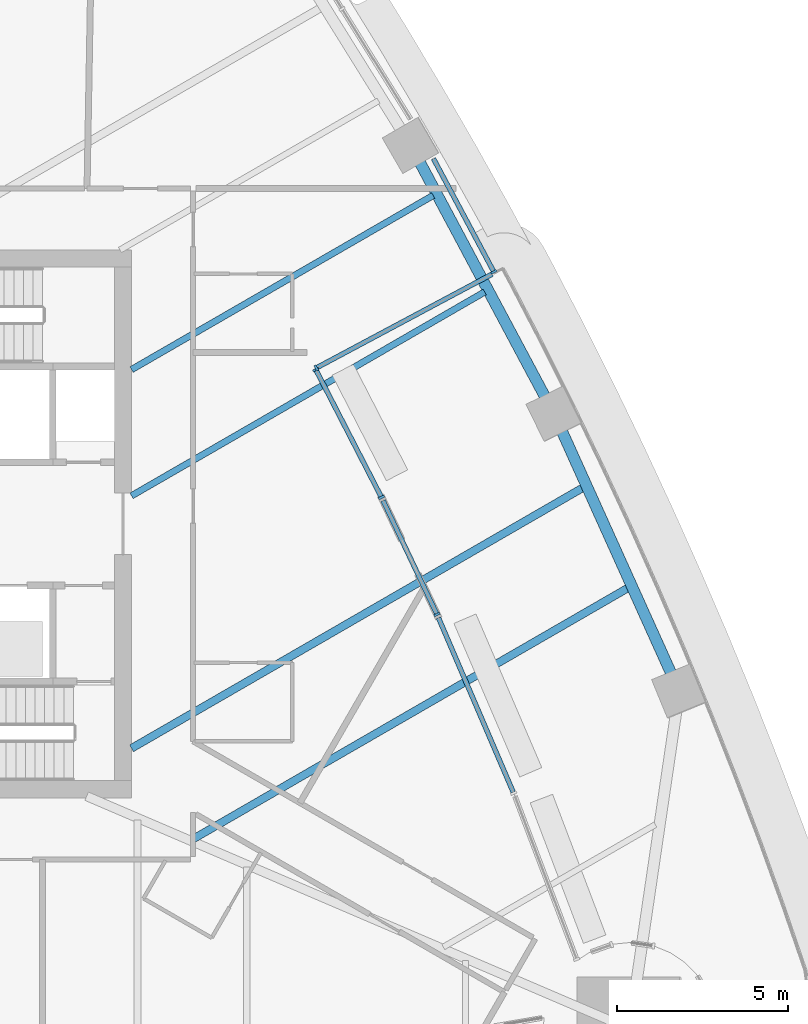
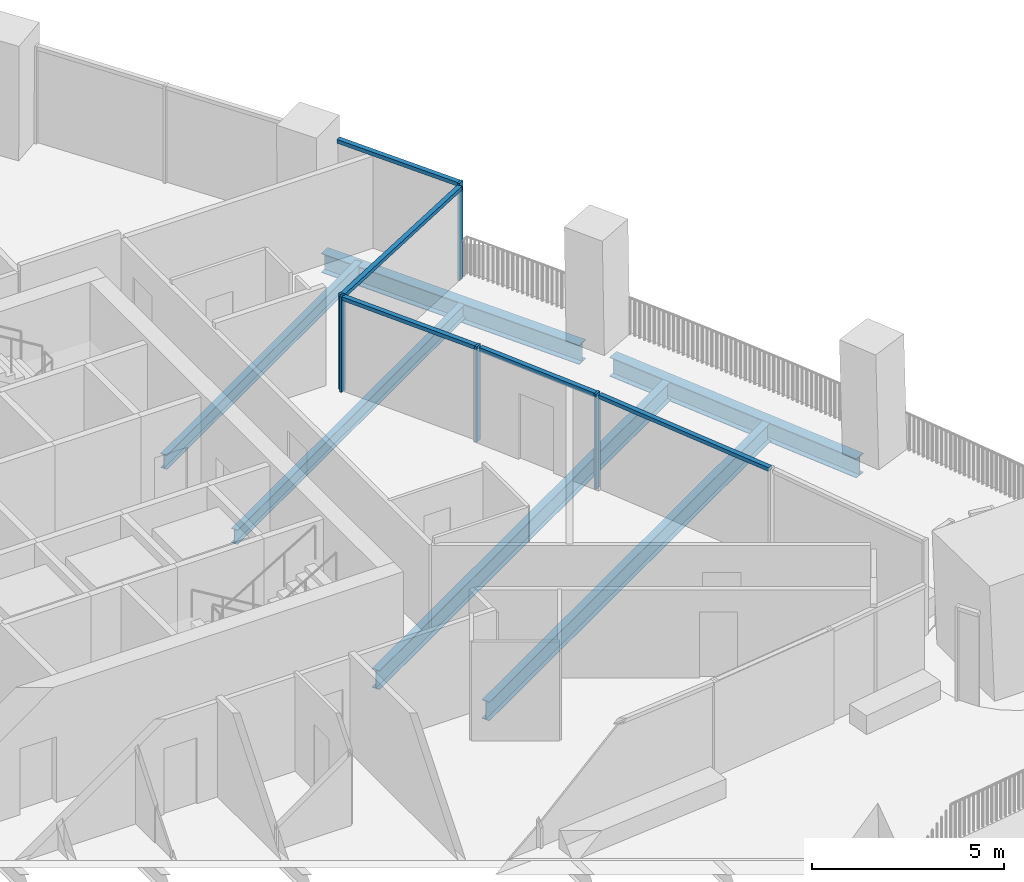
# One storey, part 5 of 22: 10 members, 6 beams, 5 elements without a shape of their own.
"""IFC4 building model written with IfcOpenShell, lengths in metres."""

from ifc_helpers import new_model, si_unit, direction, frame, origin, origin_2d, place, context, subcontext, project, spatial, rectangle, i_section, extrude, material, layer, layer_set, material_profile, profile_set, type_object, element, aggregate, save


model = new_model("IFC4")

# Units and contexts
model_context = context("Model", 3, precision=1e-05, world=origin(), true_north=direction((0.0, 1.0)))
body_context = subcontext(model_context, "Body", "Model", "MODEL_VIEW")
ifc_project = project(units=[si_unit("LENGTHUNIT", "METRE"), si_unit("AREAUNIT", "SQUARE_METRE"), si_unit("VOLUMEUNIT", "CUBIC_METRE"), si_unit("PLANEANGLEUNIT", "RADIAN"), si_unit("MASSUNIT", "GRAM", prefix="KILO")], contexts=[model_context])

# Site, building, storey
site_placement = place(None, origin())
site = spatial("IfcSite", under=ifc_project, at=site_placement, CompositionType="ELEMENT")
building_placement = place(site_placement, origin())
building = spatial("IfcBuilding", under=site, at=building_placement, Name="Sierra Prisma Convention Tower", CompositionType="ELEMENT")
storey_placement = place(building_placement, frame((0.0, 0.0, 103.5)))
storey = spatial("IfcBuildingStorey", under=building, at=storey_placement, Name="L22", CompositionType="ELEMENT", Elevation=103.5)

# Curtain wall, member
ifc_material_1 = material(Name="Aluminium and glass curtain wall", Category="aluminium")
ifc_layer_1 = layer(ifc_material_1, 0.179931640625)
ifc_layer_set_1 = layer_set([ifc_layer_1], Name="CW-1 Plain shaft curtain wall")
curtain_wall_type_1 = type_object("IfcCurtainWallType", Name="CW-1 Plain shaft curtain wall", PredefinedType="NOTDEFINED", material=ifc_layer_set_1)
curtain_wall_1_placement = place(storey_placement, origin())
curtain_wall_1 = element("IfcCurtainWall", 1, at=curtain_wall_1_placement, inside=storey, type_object=curtain_wall_type_1, Name="CW-1 NE3b L22", PredefinedType="NOTDEFINED")
ifc_material_2 = material(Name="Aluminium 6063-T6 bronze anodised", Category="aluminium")
ifc_material_profile_1 = material_profile(ifc_material_2, rectangle(XDim=0.179931640625, YDim=0.070068359375, at=origin_2d()), Name="ALU MULLION 70x180")
ifc_profile_set_1 = profile_set([ifc_material_profile_1], Name="Aluminium 6063-T6 bronze anodised")
member_type_1 = type_object("IfcMemberType", Name="CW mullion bronze", PredefinedType="MULLION", material=ifc_profile_set_1)
member_1_placement = place(storey_placement, frame((21.581787109375, 7.362060546875, 0.0), z_axis=(0.0, 0.0, 1.0), x_axis=(-0.882201474209, -0.470872125852, 0.0)))
member_1 = element("IfcMember", 2, at=member_1_placement, type_object=member_type_1, Name="CW-1 mullion NE3b.1", PredefinedType="MULLION", context=body_context, shape_type="SweptSolid", body=[
    extrude(rectangle(XDim=0.179931640625, YDim=0.070068359375, at=origin_2d()), origin(), (0.0, 0.0, 1.0), 3.10009765625),
])

ifc_material_3 = material(Name="Aluminium and glass curtain wall", Category="aluminium")
ifc_layer_2 = layer(ifc_material_3, 0.179931640625)
ifc_layer_set_2 = layer_set([ifc_layer_2], Name="CW-6 Terrace recess curtain wall")
curtain_wall_type_2 = type_object("IfcCurtainWallType", Name="CW-6 Terrace recess curtain wall", PredefinedType="NOTDEFINED", material=ifc_layer_set_2)
curtain_wall_2_placement = place(storey_placement, origin())
curtain_wall_2 = element("IfcCurtainWall", 3, at=curtain_wall_2_placement, inside=storey, type_object=curtain_wall_type_2, Name="CW-6 R35 L22", PredefinedType="NOTDEFINED")
member_2_placement = place(storey_placement, frame((19.92138671875, -2.64599609375, 0.0), z_axis=(0.0, 0.0, 1.0), x_axis=(-0.903833515793, -0.427884301803, 0.0)))
member_2 = element("IfcMember", 4, at=member_2_placement, type_object=member_type_1, Name="CW-6 mullion R35.1", PredefinedType="MULLION", context=body_context, shape_type="SweptSolid", body=[
    extrude(rectangle(XDim=0.179931640625, YDim=0.070068359375, at=origin_2d()), origin(), (0.0, 0.0, 1.0), 3.0400390625),
])

# Curtain wall, members
curtain_wall_3_placement = place(storey_placement, origin())
curtain_wall_3 = element("IfcCurtainWall", 5, at=curtain_wall_3_placement, inside=storey, type_object=curtain_wall_type_2, Name="CW-6 R36 L22", PredefinedType="NOTDEFINED")
member_3_placement = place(storey_placement, frame((18.30029296875, 0.775634765625, 0.0), z_axis=(0.0, 0.0, 1.0), x_axis=(-0.889247801273, -0.457425784069, 0.0)))
member_3 = element("IfcMember", 6, at=member_3_placement, type_object=member_type_1, Name="CW-6 mullion R36.1", PredefinedType="MULLION", context=body_context, shape_type="SweptSolid", body=[
    extrude(rectangle(XDim=0.179931640625, YDim=0.070068359375, at=origin_2d()), origin(), (0.0, 0.0, 1.0), 3.0400390625),
])
member_4_placement = place(storey_placement, frame((16.380859375, 4.5068359375, 0.0), z_axis=(0.0, 0.0, 1.0), x_axis=(-0.889247801273, -0.457425784069, 0.0)))
member_4 = element("IfcMember", 7, at=member_4_placement, type_object=member_type_1, Name="CW-6 mullion R36.2", PredefinedType="MULLION", context=body_context, shape_type="SweptSolid", body=[
    extrude(rectangle(XDim=0.179931640625, YDim=0.070068359375, at=origin_2d()), origin(), (0.0, 0.0, 1.0), 3.0400390625),
])

# Curtain wall, member
curtain_wall_4_placement = place(storey_placement, origin())
curtain_wall_4 = element("IfcCurtainWall", 8, at=curtain_wall_4_placement, inside=storey, type_object=curtain_wall_type_2, Name="CW-6 RT2 L22", PredefinedType="NOTDEFINED")
member_5_placement = place(storey_placement, frame((16.395751953125, 4.554443359375, 0.0), z_axis=(0.0, 0.0, 1.0), x_axis=(-0.470872125852, 0.882201474209, 0.0)))
member_5 = element("IfcMember", 9, at=member_5_placement, type_object=member_type_1, Name="CW-6 mullion RT2.1", PredefinedType="MULLION", context=body_context, shape_type="SweptSolid", body=[
    extrude(rectangle(XDim=0.179931640625, YDim=0.070068359375, at=origin_2d()), origin(), (0.0, 0.0, 1.0), 3.0400390625),
])

# Member
ifc_material_4 = material(Name="Aluminium 6063-T6 bronze anodised", Category="aluminium")
ifc_material_profile_2 = material_profile(ifc_material_4, rectangle(XDim=0.139892578125, YDim=0.1201171875, at=origin_2d()), Name="ALU TRANSOM 120x140")
ifc_profile_set_2 = profile_set([ifc_material_profile_2], Name="Aluminium 6063-T6 bronze anodised")
member_type_2 = type_object("IfcMemberType", Name="CW transom bronze", PredefinedType="USERDEFINED", material=ifc_profile_set_2)
member_6_placement = place(storey_placement, frame((21.565185546875, 7.39306640625, 3.0400390625), z_axis=(-0.470861276073, 0.882207265156, 0.0), x_axis=(-0.882207265156, -0.470861276073, 0.0)))
member_6 = element("IfcMember", 10, at=member_6_placement, type_object=member_type_2, Name="CW-1 transom NE3b.1", ObjectType="TRANSOM", PredefinedType="USERDEFINED", context=body_context, shape_type="SweptSolid", body=[
    extrude(rectangle(XDim=0.139892578125, YDim=0.1201171875, at=origin_2d()), origin(), (0.0, 0.0, 1.0), 3.71240234375),
])

aggregate(curtain_wall_1, [member_1, member_6])

# Curtain wall, member
curtain_wall_5_placement = place(storey_placement, origin())
curtain_wall_5 = element("IfcCurtainWall", 11, at=curtain_wall_5_placement, inside=storey, type_object=curtain_wall_type_2, Name="CW-6 R34 L22", PredefinedType="NOTDEFINED")
member_7_placement = place(storey_placement, frame((22.147216796875, -7.8330078125, 2.97998046875), z_axis=(-0.394105463149, 0.919065222885, 0.0), x_axis=(-0.919065222885, -0.394105463149, 0.0)))
member_7 = element("IfcMember", 12, at=member_7_placement, type_object=member_type_2, Name="CW-6 transom R34.1", ObjectType="TRANSOM", PredefinedType="USERDEFINED", context=body_context, shape_type="SweptSolid", body=[
    extrude(rectangle(XDim=0.139892578125, YDim=0.1201171875, at=origin_2d()), origin(), (0.0, 0.0, 1.0), 5.539306640625),
])
aggregate(curtain_wall_5, [member_7])

# Member
member_8_placement = place(storey_placement, frame((19.906494140625, -2.614501953125, 2.97998046875), z_axis=(-0.427881997801, 0.903834606528, 0.0), x_axis=(-0.903834606528, -0.427881997801, 0.0)))
member_8 = element("IfcMember", 13, at=member_8_placement, type_object=member_type_2, Name="CW-6 transom R35.1", ObjectType="TRANSOM", PredefinedType="USERDEFINED", context=body_context, shape_type="SweptSolid", body=[
    extrude(rectangle(XDim=0.139892578125, YDim=0.1201171875, at=origin_2d()), origin(), (0.0, 0.0, 1.0), 3.646484375),
])

aggregate(curtain_wall_2, [member_2, member_8])

member_9_placement = place(storey_placement, frame((18.2841796875, 0.806884765625, 2.97998046875), z_axis=(-0.457409515073, 0.889256169796, 0.0), x_axis=(-0.889256169796, -0.457409515073, 0.0)))
member_9 = element("IfcMember", 14, at=member_9_placement, type_object=member_type_2, Name="CW-6 transom R36.1", ObjectType="TRANSOM", PredefinedType="USERDEFINED", context=body_context, shape_type="SweptSolid", body=[
    extrude(rectangle(XDim=0.139892578125, YDim=0.1201171875, at=origin_2d()), origin(), (0.0, 0.0, 1.0), 4.1259765625),
])

aggregate(curtain_wall_3, [member_3, member_4, member_9])

member_10_placement = place(storey_placement, frame((16.4267578125, 4.571044921875, 2.97998046875), z_axis=(0.882197704092, 0.470879189278, 0.0), x_axis=(-0.470879189278, 0.882197704092, 0.0)))
member_10 = element("IfcMember", 15, at=member_10_placement, type_object=member_type_2, Name="CW-6 transom RT2.1", ObjectType="TRANSOM", PredefinedType="USERDEFINED", context=body_context, shape_type="SweptSolid", body=[
    extrude(rectangle(XDim=0.139892578125, YDim=0.1201171875, at=origin_2d()), origin(), (0.0, 0.0, 1.0), 5.7919921875),
])

aggregate(curtain_wall_4, [member_5, member_10])

# Beams
ifc_material_5 = material(Name="Steel ASTM A992 Gr 50", Category="steel")
ifc_material_profile_3 = material_profile(ifc_material_5, i_section(OverallWidth=0.18994140625, OverallDepth=0.45703125, WebThickness=0.009033203125, FlangeThickness=0.014404296875, at=origin_2d()), Name="W460x74")
ifc_profile_set_3 = profile_set([ifc_material_profile_3], Name="Steel ASTM A992 Gr 50")
beam_type_1 = type_object("IfcBeamType", Name="Floor joist W460x74", PredefinedType="JOIST", material=ifc_profile_set_3)
beam_1_placement = place(storey_placement, frame((21.314453125, 6.77490234375, -0.528564453125), z_axis=(-0.866024464444, -0.500001626982, 0.0), x_axis=(0.500001626982, -0.866024464444, 0.0)))
element("IfcBeam", 16, at=beam_1_placement, inside=storey, type_object=beam_type_1, Name="Floor joist L22 NE07", PredefinedType="JOIST", context=body_context, shape_type="SweptSolid", body=[
    extrude(i_section(OverallWidth=0.18994140625, OverallDepth=0.45703125, WebThickness=0.009033203125, FlangeThickness=0.014404296875, at=origin_2d()), origin(), (0.0, 0.0, 1.0), 11.91015625),
])
beam_2_placement = place(storey_placement, frame((19.81005859375, 9.593505859375, -0.37841796875), z_axis=(-0.86602812451, -0.499995287536, 0.0), x_axis=(0.499995287536, -0.86602812451, 0.0)))
element("IfcBeam", 17, at=beam_2_placement, inside=storey, type_object=beam_type_1, Name="Floor joist L22 NE08", PredefinedType="JOIST", context=body_context, shape_type="SweptSolid", body=[
    extrude(i_section(OverallWidth=0.18994140625, OverallDepth=0.45703125, WebThickness=0.009033203125, FlangeThickness=0.014404296875, at=origin_2d()), origin(), (0.0, 0.0, 1.0), 10.1728515625),
])
ifc_material_6 = material(Name="Steel ASTM A992 Gr 50", Category="steel")
ifc_material_profile_4 = material_profile(ifc_material_6, i_section(OverallWidth=0.22802734375, OverallDepth=0.60302734375, WebThickness=0.010498046875, FlangeThickness=0.014892578125, at=origin_2d()), Name="W610x101")
ifc_profile_set_4 = profile_set([ifc_material_profile_4], Name="Steel ASTM A992 Gr 50")
beam_type_2 = type_object("IfcBeamType", Name="Floor joist W610x101", PredefinedType="JOIST", material=ifc_profile_set_4)
beam_3_placement = place(storey_placement, frame((25.50927734375, -1.865234375, -0.6015625), z_axis=(-0.866029645824, -0.499992652499, 0.0), x_axis=(0.499992652499, -0.866029645824, 0.0)))
element("IfcBeam", 18, at=beam_3_placement, inside=storey, type_object=beam_type_2, Name="Floor joist L22 NE04", PredefinedType="JOIST", context=body_context, shape_type="SweptSolid", body=[
    extrude(i_section(OverallWidth=0.22802734375, OverallDepth=0.60302734375, WebThickness=0.010498046875, FlangeThickness=0.014892578125, at=origin_2d()), origin(), (0.0, 0.0, 1.0), 14.704345703125),
])
beam_4_placement = place(storey_placement, frame((24.18994140625, 1.060546875, -0.6015625), z_axis=(-0.866024887666, -0.500000893942, 0.0), x_axis=(0.500000893942, -0.866024887666, 0.0)))
element("IfcBeam", 19, at=beam_4_placement, inside=storey, type_object=beam_type_2, Name="Floor joist L22 NE05", PredefinedType="JOIST", context=body_context, shape_type="SweptSolid", body=[
    extrude(i_section(OverallWidth=0.22802734375, OverallDepth=0.60302734375, WebThickness=0.010498046875, FlangeThickness=0.014892578125, at=origin_2d()), origin(), (0.0, 0.0, 1.0), 15.23046875),
])
ifc_material_7 = material(Name="Steel ASTM A992 Gr 50", Category="steel")
ifc_material_profile_5 = material_profile(ifc_material_7, i_section(OverallWidth=0.324951171875, OverallDepth=0.615966796875, WebThickness=0.013916015625, FlangeThickness=0.021484375, at=origin_2d()), Name="W610x174")
ifc_profile_set_5 = profile_set([ifc_material_profile_5], Name="Steel ASTM A992 Gr 50")
beam_type_3 = type_object("IfcBeamType", Name="Spandrel beam W610x174", PredefinedType="BEAM", material=ifc_profile_set_5)
for number, where, z_axis, x_axis, name in (
    (20, (26.799560546875, -4.451904296875, -0.60791015625), (-0.411096717853, 0.911591733492, 0.0), (-0.911591733492, -0.411096717853, 0.0), "Spandrel L22-08"),
    (21, (23.11572265625, 3.63916015625, -0.60791015625), (-0.470882208031, 0.882196092805, 0.0), (-0.882196092805, -0.470882208031, 0.0), "Spandrel L22-09"),
):
    element("IfcBeam", number, at=place(storey_placement, frame(where, z_axis=z_axis, x_axis=x_axis)), inside=storey, type_object=beam_type_3, Name=name, PredefinedType="BEAM", context=body_context, shape_type="SweptSolid", body=[
        extrude(i_section(OverallWidth=0.324951171875, OverallDepth=0.615966796875, WebThickness=0.013916015625, FlangeThickness=0.021484375, at=origin_2d()), origin(), (0.0, 0.0, 1.0), 7.9306640625),
    ])

save(model, "model.ifc")
